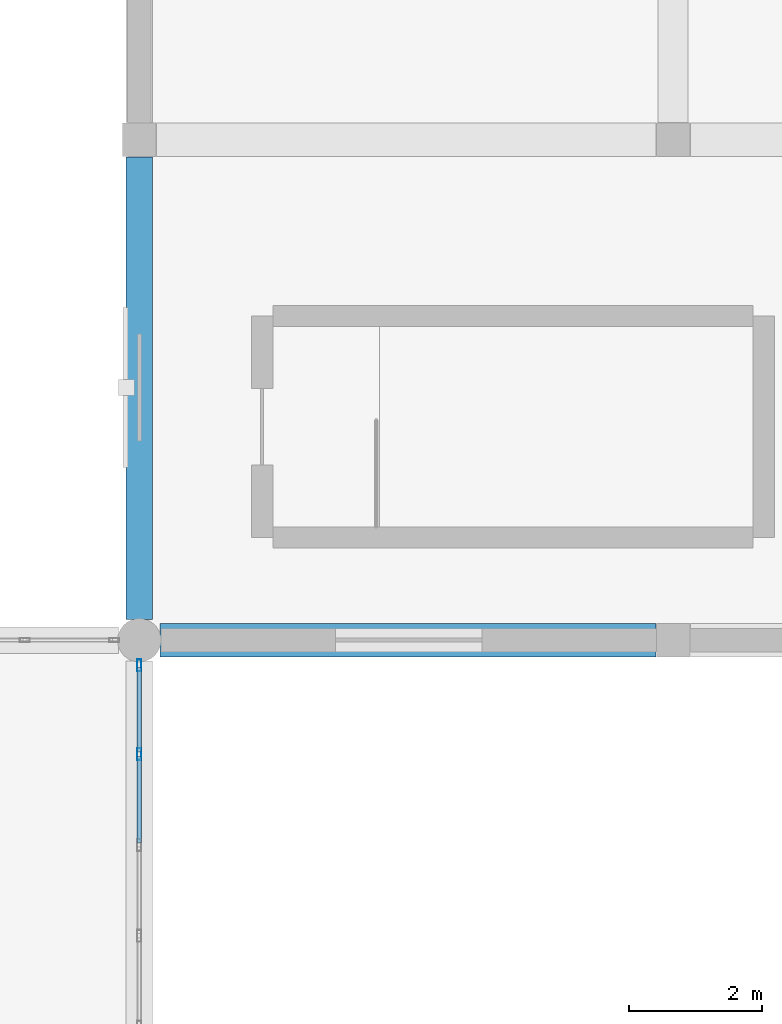
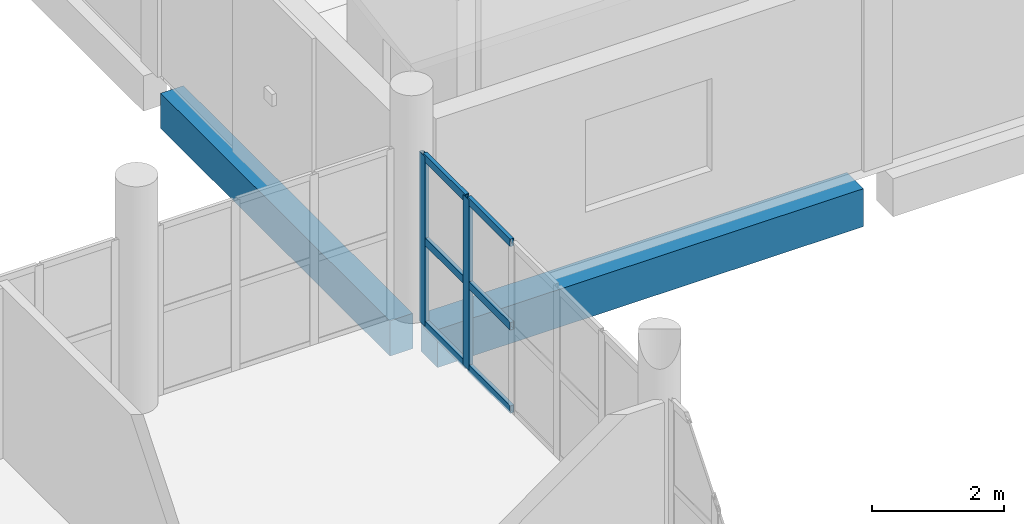
# One storey, part 95 of 164: 8 members, 2 beams, 1 element without a shape of its own.
"""IFC4 building model written with IfcOpenShell, lengths in metres."""

from ifc_helpers import new_model, si_unit, direction, frame, origin, origin_2d, place, context, subcontext, project, spatial, rectangle, hollow_rectangle, extrude, material, layer, layer_set, material_profile, profile_set, type_object, element, aggregate, save


model = new_model("IFC4")

# Units and contexts
model_context = context("Model", 3, precision=1e-05, world=origin(), true_north=direction((0.0, 1.0)))
body_context = subcontext(model_context, "Body", "Model", "MODEL_VIEW")
ifc_project = project(units=[si_unit("LENGTHUNIT", "METRE"), si_unit("AREAUNIT", "SQUARE_METRE"), si_unit("VOLUMEUNIT", "CUBIC_METRE"), si_unit("PLANEANGLEUNIT", "RADIAN"), si_unit("MASSUNIT", "GRAM", prefix="KILO")], contexts=[model_context])

# Site, building, storey
site_placement = place(None, origin())
site = spatial("IfcSite", under=ifc_project, at=site_placement, CompositionType="ELEMENT")
building_placement = place(site_placement, origin())
building = spatial("IfcBuilding", under=site, at=building_placement, Name="Mawjan Specialist Oncology Clinic", CompositionType="ELEMENT")
storey_placement = place(building_placement, frame((0.0, 0.0, 5.0)))
storey = spatial("IfcBuildingStorey", under=building, at=storey_placement, Name="L01", CompositionType="ELEMENT", Elevation=5.0)

# Curtain wall, members
ifc_material_1 = material(Name="Unitised spectrally selective aluminium curtain wall", Category="aluminium")
ifc_layer = layer(ifc_material_1, 0.179931640625, Name="Unitised spectrally selective aluminium curtain wall", Category="aluminium")
ifc_layer_set = layer_set([ifc_layer], Name="Unitised spectrally selective aluminium curtain wall")
curtain_wall_type = type_object("IfcCurtainWallType", Name="CW-55", PredefinedType="NOTDEFINED", material=ifc_layer_set)
curtain_wall_placement = place(storey_placement, origin())
curtain_wall = element("IfcCurtainWall", 1, at=curtain_wall_placement, inside=storey, type_object=curtain_wall_type, Name="L01 Unitised Curtain Wall CW-L01-132", PredefinedType="NOTDEFINED")
ifc_material_2 = material(Name="Thermally broken aluminium 6063-T6", Category="aluminium")
ifc_material_profile_1 = material_profile(ifc_material_2, hollow_rectangle(XDim=0.06494140625, YDim=0.179931640625, WallThickness=0.00390625, at=origin_2d()), Name="ALU MULLION 180x65x4", Category="aluminium")
ifc_profile_set_1 = profile_set([ifc_material_profile_1], Name="Thermally broken aluminium 6063-T6")
member_type_1 = type_object("IfcMemberType", Name="CW-M180", PredefinedType="MULLION", material=ifc_profile_set_1)
member_1_placement = place(storey_placement, frame((108.0, 75.422607421875, 0.0), z_axis=(0.0, 0.0, 1.0), x_axis=(1.0, 0.0, 0.0)))
member_1 = element("IfcMember", 2, at=member_1_placement, type_object=member_type_1, Name="CW-55 mullion 1", PredefinedType="MULLION", context=body_context, shape_type="SweptSolid", body=[
    extrude(hollow_rectangle(XDim=0.06494140625, YDim=0.179931640625, WallThickness=0.00390625, at=origin_2d()), origin(), (0.0, 0.0, 1.0), 3.139892578125),
])
member_2_placement = place(storey_placement, frame((108.0, 74.093017578125, 0.0), z_axis=(0.0, 0.0, 1.0), x_axis=(1.0, 0.0, 0.0)))
member_2 = element("IfcMember", 3, at=member_2_placement, type_object=member_type_1, Name="CW-55 mullion 2", PredefinedType="MULLION", context=body_context, shape_type="SweptSolid", body=[
    extrude(hollow_rectangle(XDim=0.06494140625, YDim=0.179931640625, WallThickness=0.00390625, at=origin_2d()), origin(), (0.0, 0.0, 1.0), 3.139892578125),
])
ifc_material_3 = material(Name="Thermally broken aluminium 6063-T6", Category="aluminium")
ifc_material_profile_2 = material_profile(ifc_material_3, hollow_rectangle(XDim=0.06494140625, YDim=0.139892578125, WallThickness=0.00390625, at=origin_2d()), Name="ALU TRANSOM 140x65x4", Category="aluminium")
ifc_profile_set_2 = profile_set([ifc_material_profile_2], Name="Thermally broken aluminium 6063-T6")
member_type_2 = type_object("IfcMemberType", Name="CW-T140", PredefinedType="USERDEFINED", material=ifc_profile_set_2)
member_3_placement = place(storey_placement, frame((108.0, 75.389892578125, 0.032470703125), z_axis=(0.0, -1.0, 0.0), x_axis=(1.0, 0.0, 0.0)))
member_3 = element("IfcMember", 4, at=member_3_placement, type_object=member_type_2, Name="CW-55 transom 1.1", ObjectType="TRANSOM", PredefinedType="USERDEFINED", context=body_context, shape_type="SweptSolid", body=[
    extrude(hollow_rectangle(XDim=0.06494140625, YDim=0.139892578125, WallThickness=0.00390625, at=origin_2d()), origin(), (0.0, 0.0, 1.0), 1.264404296875),
])
member_4_placement = place(storey_placement, frame((108.0, 75.389892578125, 1.570068359375), z_axis=(0.0, -1.0, 0.0), x_axis=(1.0, 0.0, 0.0)))
member_4 = element("IfcMember", 5, at=member_4_placement, type_object=member_type_2, Name="CW-55 transom 1.2", ObjectType="TRANSOM", PredefinedType="USERDEFINED", context=body_context, shape_type="SweptSolid", body=[
    extrude(hollow_rectangle(XDim=0.06494140625, YDim=0.139892578125, WallThickness=0.00390625, at=origin_2d()), origin(), (0.0, 0.0, 1.0), 1.264404296875),
])
member_5_placement = place(storey_placement, frame((108.0, 75.389892578125, 3.107421875), z_axis=(0.0, -1.0, 0.0), x_axis=(1.0, 0.0, 0.0)))
member_5 = element("IfcMember", 6, at=member_5_placement, type_object=member_type_2, Name="CW-55 transom 1.3", ObjectType="TRANSOM", PredefinedType="USERDEFINED", context=body_context, shape_type="SweptSolid", body=[
    extrude(hollow_rectangle(XDim=0.06494140625, YDim=0.139892578125, WallThickness=0.00390625, at=origin_2d()), origin(), (0.0, 0.0, 1.0), 1.264404296875),
])
member_6_placement = place(storey_placement, frame((108.0, 74.060546875, 0.032470703125), z_axis=(0.0, -1.0, 0.0), x_axis=(1.0, 0.0, 0.0)))
member_6 = element("IfcMember", 7, at=member_6_placement, type_object=member_type_2, Name="CW-55 transom 2.1", ObjectType="TRANSOM", PredefinedType="USERDEFINED", context=body_context, shape_type="SweptSolid", body=[
    extrude(hollow_rectangle(XDim=0.06494140625, YDim=0.139892578125, WallThickness=0.00390625, at=origin_2d()), origin(), (0.0, 0.0, 1.0), 1.297119140625),
])
member_7_placement = place(storey_placement, frame((108.0, 74.060546875, 1.570068359375), z_axis=(0.0, -1.0, 0.0), x_axis=(1.0, 0.0, 0.0)))
member_7 = element("IfcMember", 8, at=member_7_placement, type_object=member_type_2, Name="CW-55 transom 2.2", ObjectType="TRANSOM", PredefinedType="USERDEFINED", context=body_context, shape_type="SweptSolid", body=[
    extrude(hollow_rectangle(XDim=0.06494140625, YDim=0.139892578125, WallThickness=0.00390625, at=origin_2d()), origin(), (0.0, 0.0, 1.0), 1.297119140625),
])
member_8_placement = place(storey_placement, frame((108.0, 74.060546875, 3.107421875), z_axis=(0.0, -1.0, 0.0), x_axis=(1.0, 0.0, 0.0)))
member_8 = element("IfcMember", 9, at=member_8_placement, type_object=member_type_2, Name="CW-55 transom 2.3", ObjectType="TRANSOM", PredefinedType="USERDEFINED", context=body_context, shape_type="SweptSolid", body=[
    extrude(hollow_rectangle(XDim=0.06494140625, YDim=0.139892578125, WallThickness=0.00390625, at=origin_2d()), origin(), (0.0, 0.0, 1.0), 1.297119140625),
])
aggregate(curtain_wall, [member_1, member_2, member_3, member_4, member_5, member_6, member_7, member_8])

# Beams
ifc_material_4 = material(Name="Concrete C45/55", Category="concrete")
ifc_material_profile_3 = material_profile(ifc_material_4, rectangle(XDim=0.39990234375, YDim=0.64990234375, at=origin_2d()), Name="RC BM 400x650", Category="concrete")
ifc_profile_set_3 = profile_set([ifc_material_profile_3], Name="Concrete C45/55")
beam_type_1 = type_object("IfcBeamType", Name="SP-400x650", PredefinedType="SPANDREL", material=ifc_profile_set_3)
beam_1_placement = place(storey_placement, frame((108.0, 76.110107421875, -0.625), z_axis=(0.0, 1.0, 0.0), x_axis=(-1.0, 0.0, 0.0)))
element("IfcBeam", 10, at=beam_1_placement, inside=storey, type_object=beam_type_1, Name="L01 Spandrel Beam BM-L01-0561", PredefinedType="SPANDREL", context=body_context, shape_type="SweptSolid", body=[
    extrude(rectangle(XDim=0.39990234375, YDim=0.64990234375, at=origin_2d()), origin(), (0.0, 0.0, 1.0), 6.929931640625),
])
ifc_material_5 = material(Name="Concrete C45/55", Category="concrete")
ifc_material_profile_4 = material_profile(ifc_material_5, rectangle(XDim=0.5, YDim=0.699951171875, at=origin_2d()), Name="RC BM 500x700", Category="concrete")
ifc_profile_set_4 = profile_set([ifc_material_profile_4], Name="Concrete C45/55")
beam_type_2 = type_object("IfcBeamType", Name="SP-500x700", PredefinedType="SPANDREL", material=ifc_profile_set_4)
beam_2_placement = place(storey_placement, frame((108.31005859375, 75.800048828125, -0.64990234375), z_axis=(1.0, 0.0, 0.0), x_axis=(0.0, 1.0, 0.0)))
element("IfcBeam", 11, at=beam_2_placement, inside=storey, type_object=beam_type_2, Name="L01 Spandrel Beam BM-L01-0335", PredefinedType="SPANDREL", context=body_context, shape_type="SweptSolid", body=[
    extrude(rectangle(XDim=0.5, YDim=0.699951171875, at=origin_2d()), origin(), (0.0, 0.0, 1.0), 7.429931640625),
])

save(model, "model.ifc")
